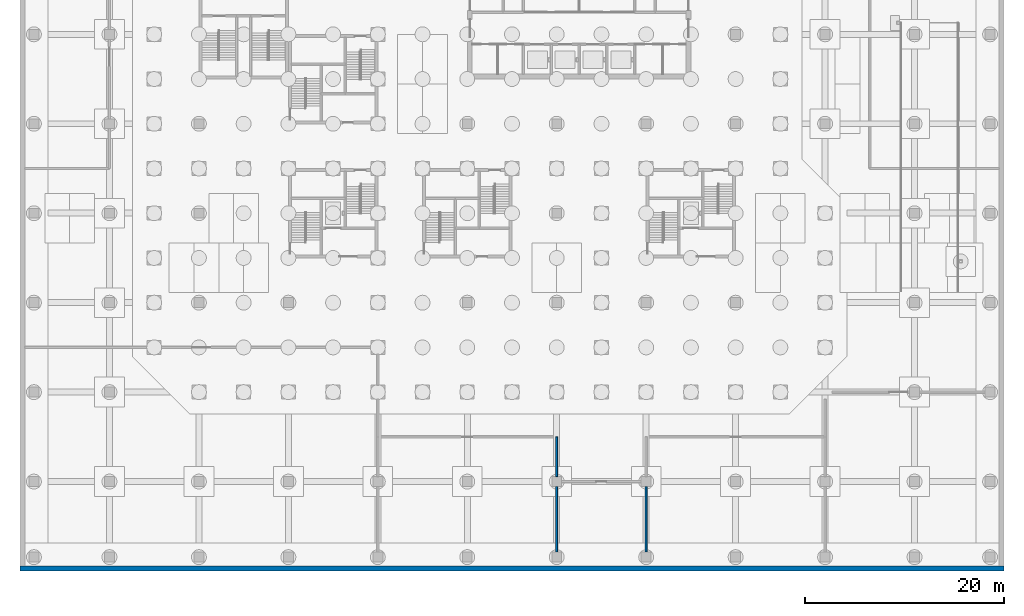
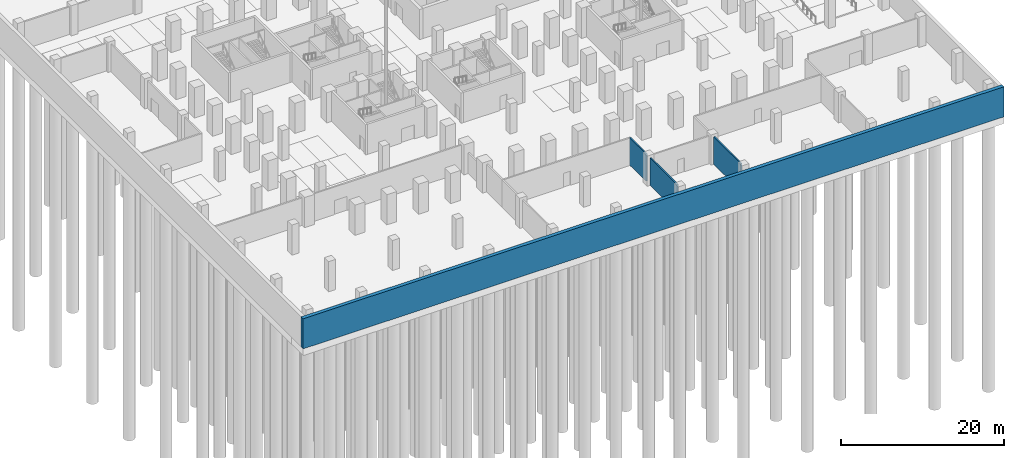
# One storey, part 11 of 37: 4 walls.
"""IFC4 building model written with IfcOpenShell, lengths in metres."""

from ifc_helpers import new_model, si_unit, direction, frame, frame_2d, origin, place, context, subcontext, project, spatial, rectangle, extrude, material, layer, layer_set, type_object, element, save


model = new_model("IFC4")

# Units and contexts
model_context = context("Model", 3, precision=1e-05, world=origin(), true_north=direction((0.0, 1.0)))
body_context = subcontext(model_context, "Body", "Model", "MODEL_VIEW")
ifc_project = project(units=[si_unit("LENGTHUNIT", "METRE"), si_unit("AREAUNIT", "SQUARE_METRE"), si_unit("VOLUMEUNIT", "CUBIC_METRE"), si_unit("PLANEANGLEUNIT", "RADIAN"), si_unit("MASSUNIT", "GRAM", prefix="KILO")], contexts=[model_context])

# Site, building, storey
site_placement = place(None, origin())
site = spatial("IfcSite", under=ifc_project, at=site_placement, CompositionType="ELEMENT")
building_placement = place(site_placement, origin())
building = spatial("IfcBuilding", under=site, at=building_placement, Name="Quoin Convention Tower", CompositionType="ELEMENT")
storey_placement = place(building_placement, frame((0.0, 0.0, -9.0)))
storey = spatial("IfcBuildingStorey", under=building, at=storey_placement, Name="B2", CompositionType="ELEMENT", Elevation=-9.0)

# Walls
ifc_material_1 = material(Name="Plasterboard")
ifc_layer_1 = layer(ifc_material_1, 0.012451171875, Name="Finish")
ifc_material_2 = material(Name="Steel stud framing", Category="steel")
ifc_layer_2 = layer(ifc_material_2, 0.175048828125, Name="Structure")
ifc_layer_3 = layer(ifc_material_1, 0.012451171875, Name="Finish")
ifc_layer_set_1 = layer_set([ifc_layer_1, ifc_layer_2, ifc_layer_3], Name="Steel stud framing")
wall_type_1 = type_object("IfcWallType", Name="Plant room wall 200", PredefinedType="PARTITIONING", material=ifc_layer_set_1)
for number, where, z_axis, x_axis, name in (
    (1, (54.0, 1.89990234375, 0.0), (0.0, 0.0, 1.0), (0.0, 1.0, 0.0), "pw-B2-003"),
    (2, (63.0, 1.89990234375, 0.0), (0.0, 0.0, 1.0), (0.0, 1.0, 0.0), "pw-B2-004"),
):
    element("IfcWall", number, at=place(storey_placement, frame(where, z_axis=z_axis, x_axis=x_axis)), inside=storey, type_object=wall_type_1, Name=name, PredefinedType="PARTITIONING", context=body_context, shape_type="SweptSolid", body=[
        extrude(rectangle(XDim=6.60009765625, YDim=0.199951171875, at=frame_2d((3.300048828125, 0.0))), origin(), (0.0, 0.0, 1.0), 4.10009765625),
    ])
wall_1_placement = place(storey_placement, frame((54.0, 9.5, 0.0), z_axis=(0.0, 0.0, 1.0), x_axis=(0.0, 1.0, 0.0)))
element("IfcWall", 3, at=wall_1_placement, inside=storey, type_object=wall_type_1, Name="pw-B2-008", PredefinedType="PARTITIONING", context=body_context, shape_type="SweptSolid", body=[
    extrude(rectangle(XDim=4.0, YDim=0.199951171875, at=frame_2d((2.0, 0.0))), origin(), (0.0, 0.0, 1.0), 4.10009765625),
])
ifc_material_3 = material(Name="Concrete C50", Category="concrete")
ifc_layer_4 = layer(ifc_material_3, 0.5)
ifc_layer_set_2 = layer_set([ifc_layer_4], Name="Concrete C50")
wall_type_2 = type_object("IfcWallType", Name="RC RETAINING WALL 500 C50", PredefinedType="SOLIDWALL", material=ifc_layer_set_2)
wall_2_placement = place(storey_placement, frame((0.0, 0.25, -0.39990234375), z_axis=(0.0, 0.0, 1.0), x_axis=(1.0, 0.0, 0.0)))
element("IfcWall", 4, at=wall_2_placement, inside=storey, type_object=wall_type_2, Name="bsm-B2-S", PredefinedType="SOLIDWALL", context=body_context, shape_type="SweptSolid", body=[
    extrude(rectangle(XDim=99.0, YDim=0.5, at=frame_2d((49.5, 0.0))), origin(), (0.0, 0.0, 1.0), 4.5),
])

save(model, "model.ifc")
